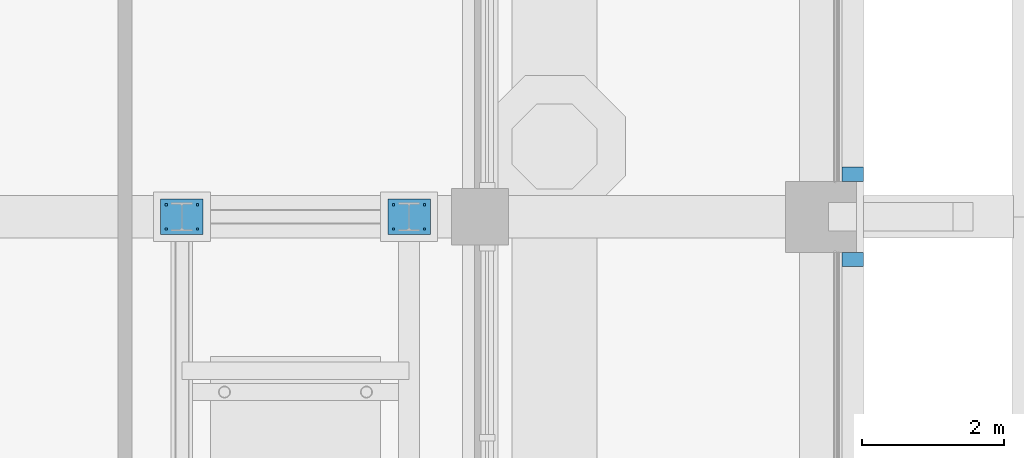
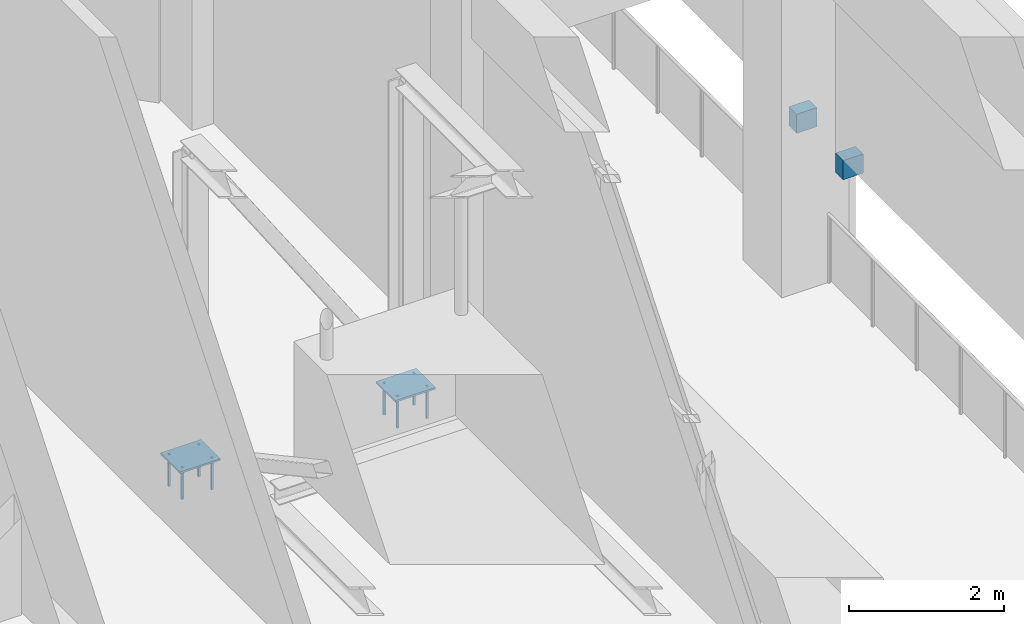
# One storey, part 25 of 29: 12 discrete accessories.
"""IFC4 building model written with IfcOpenShell, lengths in metres."""

from ifc_helpers import new_model, si_unit, direction, frame, origin, origin_2d, place, context, subcontext, project, spatial, rectangle, extrude, material, layer, layer_set, type_object, element, save


model = new_model("IFC4")

# Units and contexts
model_context = context("Model", 3, precision=1e-05, world=origin(), true_north=direction((0.0, 1.0)))
body_context = subcontext(model_context, "Body", "Model", "MODEL_VIEW")
ifc_project = project(units=[si_unit("LENGTHUNIT", "METRE"), si_unit("AREAUNIT", "SQUARE_METRE"), si_unit("VOLUMEUNIT", "CUBIC_METRE"), si_unit("PLANEANGLEUNIT", "RADIAN"), si_unit("MASSUNIT", "GRAM", prefix="KILO")], contexts=[model_context])

# Site, building, storey
site_placement = place(None, origin())
site = spatial("IfcSite", under=ifc_project, at=site_placement, CompositionType="ELEMENT")
building_placement = place(site_placement, origin())
building = spatial("IfcBuilding", under=site, at=building_placement, Name="Msitu Wima Residences", CompositionType="ELEMENT")
storey_placement = place(building_placement, frame((0.0, 0.0, 320.10009765625)))
storey = spatial("IfcBuildingStorey", under=building, at=storey_placement, Name="L74", CompositionType="ELEMENT", Elevation=320.10009765625)

# Discrete accessories
ifc_material_1 = material(Name="Steel S355", Category="steel")
discrete_accessory_type_1 = type_object("IfcDiscreteAccessoryType", Name="Damper anchor bolt AB1", PredefinedType="USERDEFINED", material=ifc_material_1)
for number, where, z_axis, x_axis, name in (
    (1, (17.179931640625, 4.298583984375, -0.30517578125), (0.0, 0.0, 1.0), (1.0, 0.0, 0.0), "Anchor bolt E2.1"),
    (2, (17.6201171875, 4.298583984375, -0.30517578125), (0.0, 0.0, 1.0), (1.0, 0.0, 0.0), "Anchor bolt E2.2"),
    (3, (17.6201171875, 4.638671875, -0.30517578125), (0.0, 0.0, 1.0), (1.0, 0.0, 0.0), "Anchor bolt E2.3"),
    (4, (17.179931640625, 4.638671875, -0.30517578125), (0.0, 0.0, 1.0), (1.0, 0.0, 0.0), "Anchor bolt E2.4"),
    (5, (20.3798828125, 4.298583984375, -0.30517578125), (0.0, 0.0, 1.0), (1.0, 0.0, 0.0), "Anchor bolt E4.1"),
    (6, (20.820068359375, 4.298583984375, -0.30517578125), (0.0, 0.0, 1.0), (1.0, 0.0, 0.0), "Anchor bolt E4.2"),
    (7, (20.820068359375, 4.638671875, -0.30517578125), (0.0, 0.0, 1.0), (1.0, 0.0, 0.0), "Anchor bolt E4.3"),
    (8, (20.3798828125, 4.638671875, -0.30517578125), (0.0, 0.0, 1.0), (1.0, 0.0, 0.0), "Anchor bolt E4.4"),
):
    element("IfcDiscreteAccessory", number, at=place(storey_placement, frame(where, z_axis=z_axis, x_axis=x_axis)), inside=storey, type_object=discrete_accessory_type_1, Name=name, ObjectType="ANCHOR BOLT", PredefinedType="USERDEFINED", context=body_context, shape_type="SweptSolid", body=[
        extrude(rectangle(XDim=0.030029296875, YDim=0.030029296875, at=origin_2d()), origin(), (0.0, 0.0, 1.0), 0.5),
    ])
ifc_layer = layer(ifc_material_1, 0.030029296875)
ifc_layer_set = layer_set([ifc_layer], Name="Steel S355")
discrete_accessory_type_2 = type_object("IfcDiscreteAccessoryType", Name="Damper base plate BP1", PredefinedType="USERDEFINED", material=ifc_layer_set)
for number, where, z_axis, x_axis, name in (
    (9, (17.39990234375, 4.46875, 0.1650390625), (0.0, 0.0, 1.0), (1.0, 0.0, 0.0), "Base plate E2"),
    (10, (20.60009765625, 4.46875, 0.1650390625), (0.0, 0.0, 1.0), (1.0, 0.0, 0.0), "Base plate E4"),
):
    element("IfcDiscreteAccessory", number, at=place(storey_placement, frame(where, z_axis=z_axis, x_axis=x_axis)), inside=storey, type_object=discrete_accessory_type_2, Name=name, ObjectType="BASE PLATE", PredefinedType="USERDEFINED", context=body_context, shape_type="SweptSolid", body=[
        extrude(rectangle(XDim=0.60009765625, YDim=0.5, at=origin_2d()), origin(), (0.0, 0.0, 1.0), 0.030029296875),
    ])
ifc_material_2 = material(Name="Steel S355, galvanised", Category="steel")
discrete_accessory_type_3 = type_object("IfcDiscreteAccessoryType", Name="Screen support bracket SB200", PredefinedType="BRACKET", material=ifc_material_2)
for number, where, z_axis, x_axis, name in (
    (11, (26.85009765625, 3.86865234375, 1.69970703125), (0.0, 0.0, 1.0), (0.0, 1.0, 0.0), "Screen support bracket E1B"),
    (12, (26.85009765625, 5.068603515625, 1.69970703125), (0.0, 0.0, 1.0), (0.0, 1.0, 0.0), "Screen support bracket E2A"),
):
    element("IfcDiscreteAccessory", number, at=place(storey_placement, frame(where, z_axis=z_axis, x_axis=x_axis)), inside=storey, type_object=discrete_accessory_type_3, Name=name, PredefinedType="BRACKET", context=body_context, shape_type="SweptSolid", body=[
        extrude(rectangle(XDim=0.199951171875, YDim=0.300048828125, at=origin_2d()), origin(), (0.0, 0.0, 1.0), 0.300048828125),
    ])

save(model, "model.ifc")
